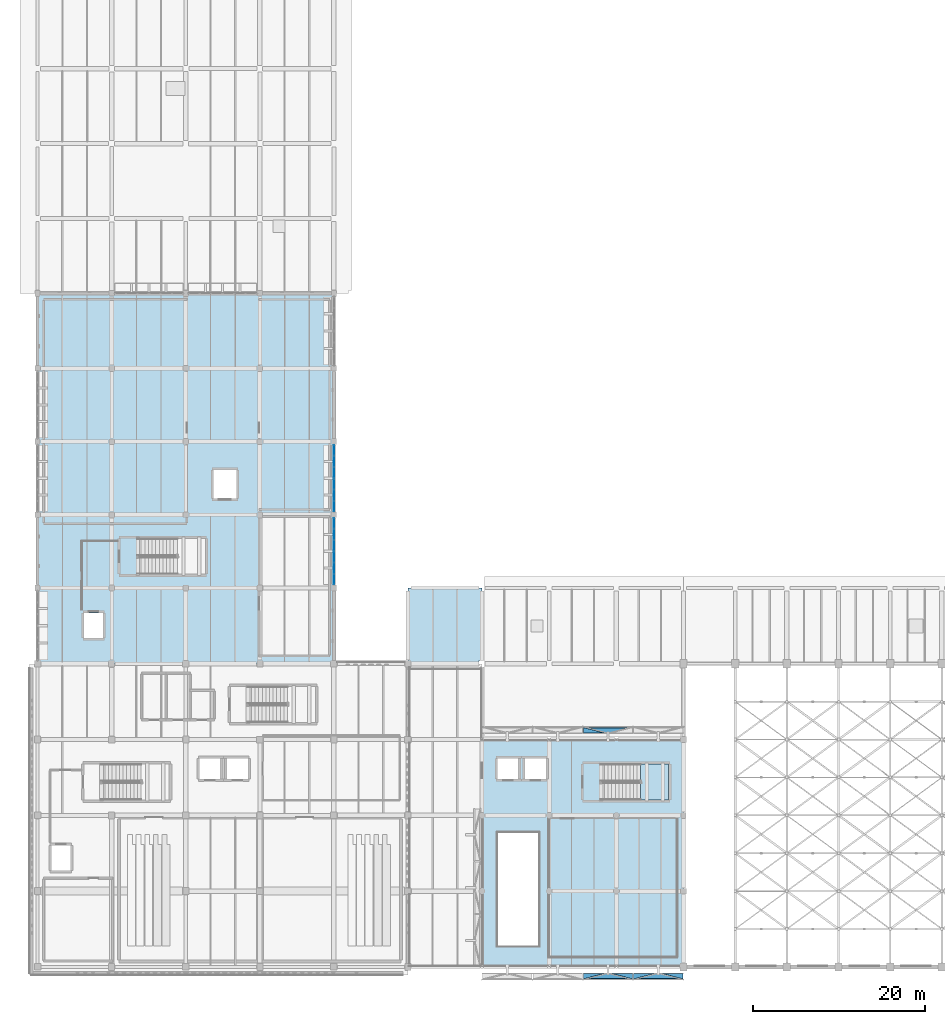
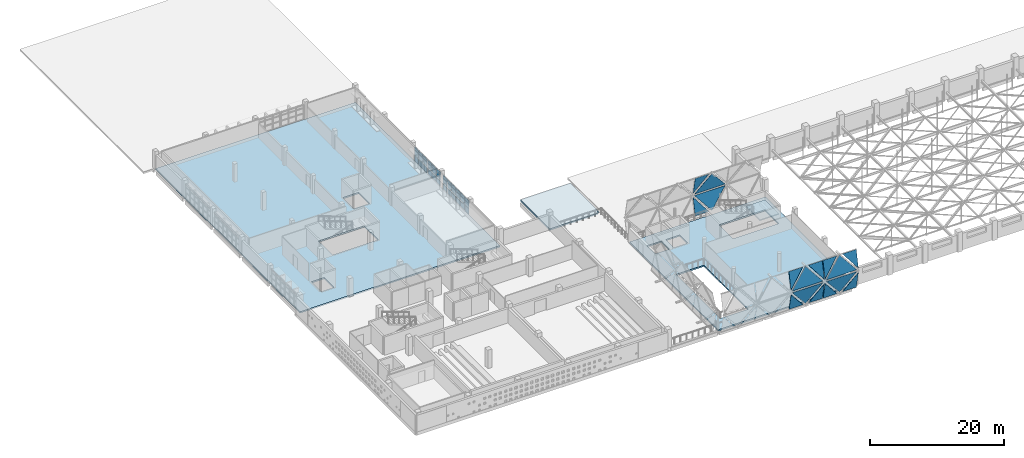
# One storey, part 68 of 93: 52 plates, 4 slabs, 8 elements without a shape of their own.
"""IFC4 building model written with IfcOpenShell, lengths in metres."""

from ifc_helpers import new_model, si_unit, direction, frame, origin, origin_2d, place, context, subcontext, project, spatial, polyline, rectangle, outline, extrude, material, layer, layer_set, type_object, element, aggregate, save


model = new_model("IFC4")

# Units and contexts
model_context = context("Model", 3, precision=1e-05, world=origin(), true_north=direction((0.0, 1.0)))
body_context = subcontext(model_context, "Body", "Model", "MODEL_VIEW")
ifc_project = project(units=[si_unit("LENGTHUNIT", "METRE"), si_unit("AREAUNIT", "SQUARE_METRE"), si_unit("VOLUMEUNIT", "CUBIC_METRE"), si_unit("PLANEANGLEUNIT", "RADIAN"), si_unit("MASSUNIT", "GRAM", prefix="KILO")], contexts=[model_context])

# Site, building, storey
site_placement = place(None, origin())
site = spatial("IfcSite", under=ifc_project, at=site_placement, CompositionType="ELEMENT")
building_placement = place(site_placement, origin())
building = spatial("IfcBuilding", under=site, at=building_placement, Name="Varnakota Cinema and Media Centre", CompositionType="ELEMENT")
storey_placement = place(building_placement, frame((0.0, 0.0, 12.0)))
storey = spatial("IfcBuildingStorey", under=building, at=storey_placement, Name="L03", CompositionType="ELEMENT", Elevation=12.0)

# Curtain wall, plates
ifc_material_1 = material(Name="Anodised golden-bronze aluminium AW-6063", Category="aluminium")
curtain_wall_type_1 = type_object("IfcCurtainWallType", Name="CW-DMD-585x705", PredefinedType="USERDEFINED", material=ifc_material_1)
curtain_wall_1_placement = place(storey_placement, origin())
curtain_wall_1 = element("IfcCurtainWall", 1, at=curtain_wall_1_placement, inside=storey, type_object=curtain_wall_type_1, Name="L03 folded diamond foyer curtain wall CW-V6DMD-S-T2-D01", ObjectType="DIAMOND FOLDED CURTAIN WALL", PredefinedType="USERDEFINED")
ifc_material_2 = material(Name="Laminated solar-control double glazing", Category="glass")
ifc_layer_1 = layer(ifc_material_2, 0.028076171875)
ifc_layer_set_1 = layer_set([ifc_layer_1], Name="Laminated solar-control double glazing")
plate_type_1 = type_object("IfcPlateType", Name="CWP-DGU-28", PredefinedType="CURTAIN_PANEL", material=ifc_layer_set_1)
plate_1_placement = place(storey_placement, frame((74.719970703125, -1.365234375, 3.385009765625), z_axis=(0.0, 0.979928851946, 0.199347548575), x_axis=(-0.624083687907, 0.155761703166, -0.765674762752)))
plate_1 = element("IfcPlate", 2, at=plate_1_placement, type_object=plate_type_1, Name="CW-V6DMD-S-T2-D01 lower diamond fitted glass facet", PredefinedType="CURTAIN_PANEL", context=body_context, shape_type="SweptSolid", body=[
    extrude(outline(polyline([(0.0, 0.0), (4.238244938145499, -4.440892098500626e-16), (3.3014270872958185, 4.133411722783652), (0.0, 0.0)])), origin(), (0.0, 0.0, -1.0), 0.02392578125),
])
plate_2_placement = place(storey_placement, frame((74.719970703125, -1.365234375, 3.6650390625), z_axis=(0.0, -0.97992592191, 0.199361951158), x_axis=(-1.0, 0.0, 0.0)))
plate_2 = element("IfcPlate", 3, at=plate_2_placement, type_object=plate_type_1, Name="CW-V6DMD-S-T2-D01 upper diamond fitted glass facet", PredefinedType="CURTAIN_PANEL", context=body_context, shape_type="SweptSolid", body=[
    extrude(outline(polyline([(0.0, 0.0), (5.2900390625, 0.0), (2.64501953125, -3.311345250007904), (0.0, 0.0)])), origin(), (0.0, 0.0, -1.0), 0.02392578125),
])

curtain_wall_2_placement = place(storey_placement, origin())
curtain_wall_2 = element("IfcCurtainWall", 4, at=curtain_wall_2_placement, inside=storey, type_object=curtain_wall_type_1, Name="L03 folded diamond foyer curtain wall CW-V6DMD-S-T2-D02", ObjectType="DIAMOND FOLDED CURTAIN WALL", PredefinedType="USERDEFINED")
plate_3_placement = place(storey_placement, frame((68.8701171875, -1.365234375, 3.385009765625), z_axis=(0.0, 0.979928851946, 0.199347548575), x_axis=(-0.624083687907, 0.155761703166, -0.765674762752)))
plate_3 = element("IfcPlate", 5, at=plate_3_placement, type_object=plate_type_1, Name="CW-V6DMD-S-T2-D02 lower diamond fitted glass facet", PredefinedType="CURTAIN_PANEL", context=body_context, shape_type="SweptSolid", body=[
    extrude(outline(polyline([(0.0, 0.0), (4.238244938145499, -4.440892098500626e-16), (3.3014270872958185, 4.133411722783652), (0.0, 0.0)])), origin(), (0.0, 0.0, -1.0), 0.02392578125),
])
plate_4_placement = place(storey_placement, frame((68.8701171875, -1.365234375, 3.6650390625), z_axis=(0.0, -0.97992592191, 0.199361951158), x_axis=(-1.0, 0.0, 0.0)))
plate_4 = element("IfcPlate", 6, at=plate_4_placement, type_object=plate_type_1, Name="CW-V6DMD-S-T2-D02 upper diamond fitted glass facet", PredefinedType="CURTAIN_PANEL", context=body_context, shape_type="SweptSolid", body=[
    extrude(outline(polyline([(0.0, 0.0), (5.2900390625, 0.0), (2.64501953125, -3.311345250007904), (0.0, 0.0)])), origin(), (0.0, 0.0, -1.0), 0.02392578125),
])

curtain_wall_3_placement = place(storey_placement, origin())
curtain_wall_3 = element("IfcCurtainWall", 7, at=curtain_wall_3_placement, inside=storey, type_object=curtain_wall_type_1, Name="L03 folded diamond foyer curtain wall CW-V6DMD-N-T2-D03", ObjectType="DIAMOND FOLDED CURTAIN WALL", PredefinedType="USERDEFINED")
plate_5_placement = place(storey_placement, frame((63.580078125, 27.76513671875, 3.385009765625), z_axis=(0.0, -0.979928851946, 0.199347548575), x_axis=(0.624083687907, -0.155761703166, -0.765674762752)))
plate_5 = element("IfcPlate", 8, at=plate_5_placement, type_object=plate_type_1, Name="CW-V6DMD-N-T2-D03 lower diamond fitted glass facet", PredefinedType="CURTAIN_PANEL", context=body_context, shape_type="SweptSolid", body=[
    extrude(outline(polyline([(0.0, 0.0), (4.238244938145499, -4.440892098500626e-16), (3.3014270872958185, 4.133411722783652), (0.0, 0.0)])), origin(), (0.0, 0.0, -1.0), 0.02392578125),
])
plate_6_placement = place(storey_placement, frame((63.580078125, 27.76513671875, 3.6650390625), z_axis=(0.0, 0.97992592191, 0.199361951158), x_axis=(1.0, 0.0, 0.0)))
plate_6 = element("IfcPlate", 9, at=plate_6_placement, type_object=plate_type_1, Name="CW-V6DMD-N-T2-D03 upper diamond fitted glass facet", PredefinedType="CURTAIN_PANEL", context=body_context, shape_type="SweptSolid", body=[
    extrude(outline(polyline([(0.0, 0.0), (5.2900390625, 0.0), (2.64501953125, -3.311345250007904), (0.0, 0.0)])), origin(), (0.0, 0.0, -1.0), 0.02392578125),
])

ifc_material_3 = material(Name="Thermally broken anodised aluminium AW-6063", Category="aluminium")
curtain_wall_type_2 = type_object("IfcCurtainWallType", Name="CW-STD-389x264", PredefinedType="USERDEFINED", material=ifc_material_3)
curtain_wall_4_placement = place(storey_placement, origin())
curtain_wall_4 = element("IfcCurtainWall", 10, at=curtain_wall_4_placement, inside=storey, type_object=curtain_wall_type_2, Name="L03 curtain wall CW-L03-V5-E-02-1", ObjectType="UNITISED CURTAIN WALL", PredefinedType="USERDEFINED")
plate_7_placement = place(storey_placement, frame((34.39990234375, 45.014892578125, 0.06494140625), z_axis=(0.0, 0.0, 1.0), x_axis=(0.0, 1.0, 0.0)))
plate_7 = element("IfcPlate", 11, at=plate_7_placement, type_object=plate_type_1, Name="CW41 panel 1.1", PredefinedType="CURTAIN_PANEL", context=body_context, shape_type="SweptSolid", body=[
    extrude(rectangle(XDim=1.199951171875, YDim=0.028076171875, at=origin_2d()), origin(), (0.0, 0.0, 1.0), 1.00927734375),
])
plate_8_placement = place(storey_placement, frame((34.39990234375, 45.014892578125, 1.13916015625), z_axis=(0.0, 0.0, 1.0), x_axis=(0.0, 1.0, 0.0)))
plate_8 = element("IfcPlate", 12, at=plate_8_placement, type_object=plate_type_1, Name="CW41 panel 1.2", PredefinedType="CURTAIN_PANEL", context=body_context, shape_type="SweptSolid", body=[
    extrude(rectangle(XDim=1.199951171875, YDim=0.028076171875, at=origin_2d()), origin(), (0.0, 0.0, 1.0), 0.883544921875),
])
plate_9_placement = place(storey_placement, frame((34.39990234375, 45.014892578125, 2.087890625), z_axis=(0.0, 0.0, 1.0), x_axis=(0.0, 1.0, 0.0)))
plate_9 = element("IfcPlate", 13, at=plate_9_placement, type_object=plate_type_1, Name="CW41 panel 1.3", PredefinedType="CURTAIN_PANEL", context=body_context, shape_type="SweptSolid", body=[
    extrude(rectangle(XDim=1.199951171875, YDim=0.028076171875, at=origin_2d()), origin(), (0.0, 0.0, 1.0), 0.482177734375),
])
plate_10_placement = place(storey_placement, frame((34.39990234375, 46.296142578125, 0.06494140625), z_axis=(0.0, 0.0, 1.0), x_axis=(0.0, 1.0, 0.0)))
plate_10 = element("IfcPlate", 14, at=plate_10_placement, type_object=plate_type_1, Name="CW41 panel 2.1", PredefinedType="CURTAIN_PANEL", context=body_context, shape_type="SweptSolid", body=[
    extrude(rectangle(XDim=1.232421875, YDim=0.028076171875, at=origin_2d()), origin(), (0.0, 0.0, 1.0), 1.00927734375),
])
plate_11_placement = place(storey_placement, frame((34.39990234375, 46.296142578125, 1.13916015625), z_axis=(0.0, 0.0, 1.0), x_axis=(0.0, 1.0, 0.0)))
plate_11 = element("IfcPlate", 15, at=plate_11_placement, type_object=plate_type_1, Name="CW41 panel 2.2", PredefinedType="CURTAIN_PANEL", context=body_context, shape_type="SweptSolid", body=[
    extrude(rectangle(XDim=1.232421875, YDim=0.028076171875, at=origin_2d()), origin(), (0.0, 0.0, 1.0), 0.883544921875),
])
plate_12_placement = place(storey_placement, frame((34.39990234375, 46.296142578125, 2.087890625), z_axis=(0.0, 0.0, 1.0), x_axis=(0.0, 1.0, 0.0)))
plate_12 = element("IfcPlate", 16, at=plate_12_placement, type_object=plate_type_1, Name="CW41 panel 2.3", PredefinedType="CURTAIN_PANEL", context=body_context, shape_type="SweptSolid", body=[
    extrude(rectangle(XDim=1.232421875, YDim=0.028076171875, at=origin_2d()), origin(), (0.0, 0.0, 1.0), 0.482177734375),
])
plate_13_placement = place(storey_placement, frame((34.39990234375, 47.577392578125, 0.06494140625), z_axis=(0.0, 0.0, 1.0), x_axis=(0.0, 1.0, 0.0)))
plate_13 = element("IfcPlate", 17, at=plate_13_placement, type_object=plate_type_1, Name="CW41 panel 3.1", PredefinedType="CURTAIN_PANEL", context=body_context, shape_type="SweptSolid", body=[
    extrude(rectangle(XDim=1.199951171875, YDim=0.028076171875, at=origin_2d()), origin(), (0.0, 0.0, 1.0), 1.00927734375),
])
plate_14_placement = place(storey_placement, frame((34.39990234375, 47.577392578125, 1.13916015625), z_axis=(0.0, 0.0, 1.0), x_axis=(0.0, 1.0, 0.0)))
plate_14 = element("IfcPlate", 18, at=plate_14_placement, type_object=plate_type_1, Name="CW41 panel 3.2", PredefinedType="CURTAIN_PANEL", context=body_context, shape_type="SweptSolid", body=[
    extrude(rectangle(XDim=1.199951171875, YDim=0.028076171875, at=origin_2d()), origin(), (0.0, 0.0, 1.0), 0.883544921875),
])
plate_15_placement = place(storey_placement, frame((34.39990234375, 47.577392578125, 2.087890625), z_axis=(0.0, 0.0, 1.0), x_axis=(0.0, 1.0, 0.0)))
plate_15 = element("IfcPlate", 19, at=plate_15_placement, type_object=plate_type_1, Name="CW41 panel 3.3", PredefinedType="CURTAIN_PANEL", context=body_context, shape_type="SweptSolid", body=[
    extrude(rectangle(XDim=1.199951171875, YDim=0.028076171875, at=origin_2d()), origin(), (0.0, 0.0, 1.0), 0.482177734375),
])
aggregate(curtain_wall_4, [plate_7, plate_8, plate_9, plate_10, plate_11, plate_12, plate_13, plate_14, plate_15])

curtain_wall_5_placement = place(storey_placement, origin())
curtain_wall_5 = element("IfcCurtainWall", 20, at=curtain_wall_5_placement, inside=storey, type_object=curtain_wall_type_2, Name="L03 curtain wall CW-L03-V5-E-02-2", ObjectType="UNITISED CURTAIN WALL", PredefinedType="USERDEFINED")
plate_16_placement = place(storey_placement, frame((34.39990234375, 48.947509765625, 0.06494140625), z_axis=(0.0, 0.0, 1.0), x_axis=(0.0, 1.0, 0.0)))
plate_16 = element("IfcPlate", 21, at=plate_16_placement, type_object=plate_type_1, Name="CW41 panel 1.1", PredefinedType="CURTAIN_PANEL", context=body_context, shape_type="SweptSolid", body=[
    extrude(rectangle(XDim=1.199951171875, YDim=0.028076171875, at=origin_2d()), origin(), (0.0, 0.0, 1.0), 1.00927734375),
])
plate_17_placement = place(storey_placement, frame((34.39990234375, 48.947509765625, 1.13916015625), z_axis=(0.0, 0.0, 1.0), x_axis=(0.0, 1.0, 0.0)))
plate_17 = element("IfcPlate", 22, at=plate_17_placement, type_object=plate_type_1, Name="CW41 panel 1.2", PredefinedType="CURTAIN_PANEL", context=body_context, shape_type="SweptSolid", body=[
    extrude(rectangle(XDim=1.199951171875, YDim=0.028076171875, at=origin_2d()), origin(), (0.0, 0.0, 1.0), 0.883544921875),
])
plate_18_placement = place(storey_placement, frame((34.39990234375, 48.947509765625, 2.087890625), z_axis=(0.0, 0.0, 1.0), x_axis=(0.0, 1.0, 0.0)))
plate_18 = element("IfcPlate", 23, at=plate_18_placement, type_object=plate_type_1, Name="CW41 panel 1.3", PredefinedType="CURTAIN_PANEL", context=body_context, shape_type="SweptSolid", body=[
    extrude(rectangle(XDim=1.199951171875, YDim=0.028076171875, at=origin_2d()), origin(), (0.0, 0.0, 1.0), 0.482177734375),
])
plate_19_placement = place(storey_placement, frame((34.39990234375, 50.228759765625, 0.06494140625), z_axis=(0.0, 0.0, 1.0), x_axis=(0.0, 1.0, 0.0)))
plate_19 = element("IfcPlate", 24, at=plate_19_placement, type_object=plate_type_1, Name="CW41 panel 2.1", PredefinedType="CURTAIN_PANEL", context=body_context, shape_type="SweptSolid", body=[
    extrude(rectangle(XDim=1.232421875, YDim=0.028076171875, at=origin_2d()), origin(), (0.0, 0.0, 1.0), 1.00927734375),
])
plate_20_placement = place(storey_placement, frame((34.39990234375, 50.228759765625, 1.13916015625), z_axis=(0.0, 0.0, 1.0), x_axis=(0.0, 1.0, 0.0)))
plate_20 = element("IfcPlate", 25, at=plate_20_placement, type_object=plate_type_1, Name="CW41 panel 2.2", PredefinedType="CURTAIN_PANEL", context=body_context, shape_type="SweptSolid", body=[
    extrude(rectangle(XDim=1.232421875, YDim=0.028076171875, at=origin_2d()), origin(), (0.0, 0.0, 1.0), 0.883544921875),
])
plate_21_placement = place(storey_placement, frame((34.39990234375, 50.228759765625, 2.087890625), z_axis=(0.0, 0.0, 1.0), x_axis=(0.0, 1.0, 0.0)))
plate_21 = element("IfcPlate", 26, at=plate_21_placement, type_object=plate_type_1, Name="CW41 panel 2.3", PredefinedType="CURTAIN_PANEL", context=body_context, shape_type="SweptSolid", body=[
    extrude(rectangle(XDim=1.232421875, YDim=0.028076171875, at=origin_2d()), origin(), (0.0, 0.0, 1.0), 0.482177734375),
])
plate_22_placement = place(storey_placement, frame((34.39990234375, 51.510009765625, 0.06494140625), z_axis=(0.0, 0.0, 1.0), x_axis=(0.0, 1.0, 0.0)))
plate_22 = element("IfcPlate", 27, at=plate_22_placement, type_object=plate_type_1, Name="CW41 panel 3.1", PredefinedType="CURTAIN_PANEL", context=body_context, shape_type="SweptSolid", body=[
    extrude(rectangle(XDim=1.199951171875, YDim=0.028076171875, at=origin_2d()), origin(), (0.0, 0.0, 1.0), 1.00927734375),
])
plate_23_placement = place(storey_placement, frame((34.39990234375, 51.510009765625, 1.13916015625), z_axis=(0.0, 0.0, 1.0), x_axis=(0.0, 1.0, 0.0)))
plate_23 = element("IfcPlate", 28, at=plate_23_placement, type_object=plate_type_1, Name="CW41 panel 3.2", PredefinedType="CURTAIN_PANEL", context=body_context, shape_type="SweptSolid", body=[
    extrude(rectangle(XDim=1.199951171875, YDim=0.028076171875, at=origin_2d()), origin(), (0.0, 0.0, 1.0), 0.883544921875),
])
plate_24_placement = place(storey_placement, frame((34.39990234375, 51.510009765625, 2.087890625), z_axis=(0.0, 0.0, 1.0), x_axis=(0.0, 1.0, 0.0)))
plate_24 = element("IfcPlate", 29, at=plate_24_placement, type_object=plate_type_1, Name="CW41 panel 3.3", PredefinedType="CURTAIN_PANEL", context=body_context, shape_type="SweptSolid", body=[
    extrude(rectangle(XDim=1.199951171875, YDim=0.028076171875, at=origin_2d()), origin(), (0.0, 0.0, 1.0), 0.482177734375),
])
aggregate(curtain_wall_5, [plate_16, plate_17, plate_18, plate_19, plate_20, plate_21, plate_22, plate_23, plate_24])

ifc_material_4 = material(Name="Thermally broken anodised aluminium AW-6063", Category="aluminium")
curtain_wall_type_3 = type_object("IfcCurtainWallType", Name="CW-STD-389x268", PredefinedType="USERDEFINED", material=ifc_material_4)
curtain_wall_6_placement = place(storey_placement, origin())
curtain_wall_6 = element("IfcCurtainWall", 30, at=curtain_wall_6_placement, inside=storey, type_object=curtain_wall_type_3, Name="L03 curtain wall CW-L03-V5-E-03-1", ObjectType="UNITISED CURTAIN WALL", PredefinedType="USERDEFINED")
plate_25_placement = place(storey_placement, frame((34.39990234375, 53.489990234375, 0.06494140625), z_axis=(0.0, 0.0, 1.0), x_axis=(0.0, 1.0, 0.0)))
plate_25 = element("IfcPlate", 31, at=plate_25_placement, type_object=plate_type_1, Name="CW42 panel 1.1", PredefinedType="CURTAIN_PANEL", context=body_context, shape_type="SweptSolid", body=[
    extrude(rectangle(XDim=1.199951171875, YDim=0.028076171875, at=origin_2d()), origin(), (0.0, 0.0, 1.0), 1.0302734375),
])
plate_26_placement = place(storey_placement, frame((34.39990234375, 53.489990234375, 1.16015625), z_axis=(0.0, 0.0, 1.0), x_axis=(0.0, 1.0, 0.0)))
plate_26 = element("IfcPlate", 32, at=plate_26_placement, type_object=plate_type_1, Name="CW42 panel 1.2", PredefinedType="CURTAIN_PANEL", context=body_context, shape_type="SweptSolid", body=[
    extrude(rectangle(XDim=1.199951171875, YDim=0.028076171875, at=origin_2d()), origin(), (0.0, 0.0, 1.0), 0.901611328125),
])
plate_27_placement = place(storey_placement, frame((34.39990234375, 53.489990234375, 2.126708984375), z_axis=(0.0, 0.0, 1.0), x_axis=(0.0, 1.0, 0.0)))
plate_27 = element("IfcPlate", 33, at=plate_27_placement, type_object=plate_type_1, Name="CW42 panel 1.3", PredefinedType="CURTAIN_PANEL", context=body_context, shape_type="SweptSolid", body=[
    extrude(rectangle(XDim=1.199951171875, YDim=0.028076171875, at=origin_2d()), origin(), (0.0, 0.0, 1.0), 0.4931640625),
])
plate_28_placement = place(storey_placement, frame((34.39990234375, 54.771240234375, 0.06494140625), z_axis=(0.0, 0.0, 1.0), x_axis=(0.0, 1.0, 0.0)))
plate_28 = element("IfcPlate", 34, at=plate_28_placement, type_object=plate_type_1, Name="CW42 panel 2.1", PredefinedType="CURTAIN_PANEL", context=body_context, shape_type="SweptSolid", body=[
    extrude(rectangle(XDim=1.232421875, YDim=0.028076171875, at=origin_2d()), origin(), (0.0, 0.0, 1.0), 1.0302734375),
])
plate_29_placement = place(storey_placement, frame((34.39990234375, 54.771240234375, 1.16015625), z_axis=(0.0, 0.0, 1.0), x_axis=(0.0, 1.0, 0.0)))
plate_29 = element("IfcPlate", 35, at=plate_29_placement, type_object=plate_type_1, Name="CW42 panel 2.2", PredefinedType="CURTAIN_PANEL", context=body_context, shape_type="SweptSolid", body=[
    extrude(rectangle(XDim=1.232421875, YDim=0.028076171875, at=origin_2d()), origin(), (0.0, 0.0, 1.0), 0.901611328125),
])
plate_30_placement = place(storey_placement, frame((34.39990234375, 54.771240234375, 2.126708984375), z_axis=(0.0, 0.0, 1.0), x_axis=(0.0, 1.0, 0.0)))
plate_30 = element("IfcPlate", 36, at=plate_30_placement, type_object=plate_type_1, Name="CW42 panel 2.3", PredefinedType="CURTAIN_PANEL", context=body_context, shape_type="SweptSolid", body=[
    extrude(rectangle(XDim=1.232421875, YDim=0.028076171875, at=origin_2d()), origin(), (0.0, 0.0, 1.0), 0.4931640625),
])
plate_31_placement = place(storey_placement, frame((34.39990234375, 56.052490234375, 0.06494140625), z_axis=(0.0, 0.0, 1.0), x_axis=(0.0, 1.0, 0.0)))
plate_31 = element("IfcPlate", 37, at=plate_31_placement, type_object=plate_type_1, Name="CW42 panel 3.1", PredefinedType="CURTAIN_PANEL", context=body_context, shape_type="SweptSolid", body=[
    extrude(rectangle(XDim=1.199951171875, YDim=0.028076171875, at=origin_2d()), origin(), (0.0, 0.0, 1.0), 1.0302734375),
])
plate_32_placement = place(storey_placement, frame((34.39990234375, 56.052490234375, 1.16015625), z_axis=(0.0, 0.0, 1.0), x_axis=(0.0, 1.0, 0.0)))
plate_32 = element("IfcPlate", 38, at=plate_32_placement, type_object=plate_type_1, Name="CW42 panel 3.2", PredefinedType="CURTAIN_PANEL", context=body_context, shape_type="SweptSolid", body=[
    extrude(rectangle(XDim=1.199951171875, YDim=0.028076171875, at=origin_2d()), origin(), (0.0, 0.0, 1.0), 0.901611328125),
])
plate_33_placement = place(storey_placement, frame((34.39990234375, 56.052490234375, 2.126708984375), z_axis=(0.0, 0.0, 1.0), x_axis=(0.0, 1.0, 0.0)))
plate_33 = element("IfcPlate", 39, at=plate_33_placement, type_object=plate_type_1, Name="CW42 panel 3.3", PredefinedType="CURTAIN_PANEL", context=body_context, shape_type="SweptSolid", body=[
    extrude(rectangle(XDim=1.199951171875, YDim=0.028076171875, at=origin_2d()), origin(), (0.0, 0.0, 1.0), 0.4931640625),
])
aggregate(curtain_wall_6, [plate_25, plate_26, plate_27, plate_28, plate_29, plate_30, plate_31, plate_32, plate_33])

curtain_wall_7_placement = place(storey_placement, origin())
curtain_wall_7 = element("IfcCurtainWall", 40, at=curtain_wall_7_placement, inside=storey, type_object=curtain_wall_type_3, Name="L03 curtain wall CW-L03-V5-E-03-2", ObjectType="UNITISED CURTAIN WALL", PredefinedType="USERDEFINED")
plate_34_placement = place(storey_placement, frame((34.39990234375, 57.422607421875, 0.06494140625), z_axis=(0.0, 0.0, 1.0), x_axis=(0.0, 1.0, 0.0)))
plate_34 = element("IfcPlate", 41, at=plate_34_placement, type_object=plate_type_1, Name="CW42 panel 1.1", PredefinedType="CURTAIN_PANEL", context=body_context, shape_type="SweptSolid", body=[
    extrude(rectangle(XDim=1.199951171875, YDim=0.028076171875, at=origin_2d()), origin(), (0.0, 0.0, 1.0), 1.0302734375),
])
plate_35_placement = place(storey_placement, frame((34.39990234375, 57.422607421875, 1.16015625), z_axis=(0.0, 0.0, 1.0), x_axis=(0.0, 1.0, 0.0)))
plate_35 = element("IfcPlate", 42, at=plate_35_placement, type_object=plate_type_1, Name="CW42 panel 1.2", PredefinedType="CURTAIN_PANEL", context=body_context, shape_type="SweptSolid", body=[
    extrude(rectangle(XDim=1.199951171875, YDim=0.028076171875, at=origin_2d()), origin(), (0.0, 0.0, 1.0), 0.901611328125),
])
plate_36_placement = place(storey_placement, frame((34.39990234375, 57.422607421875, 2.126708984375), z_axis=(0.0, 0.0, 1.0), x_axis=(0.0, 1.0, 0.0)))
plate_36 = element("IfcPlate", 43, at=plate_36_placement, type_object=plate_type_1, Name="CW42 panel 1.3", PredefinedType="CURTAIN_PANEL", context=body_context, shape_type="SweptSolid", body=[
    extrude(rectangle(XDim=1.199951171875, YDim=0.028076171875, at=origin_2d()), origin(), (0.0, 0.0, 1.0), 0.4931640625),
])
plate_37_placement = place(storey_placement, frame((34.39990234375, 58.703857421875, 0.06494140625), z_axis=(0.0, 0.0, 1.0), x_axis=(0.0, 1.0, 0.0)))
plate_37 = element("IfcPlate", 44, at=plate_37_placement, type_object=plate_type_1, Name="CW42 panel 2.1", PredefinedType="CURTAIN_PANEL", context=body_context, shape_type="SweptSolid", body=[
    extrude(rectangle(XDim=1.232421875, YDim=0.028076171875, at=origin_2d()), origin(), (0.0, 0.0, 1.0), 1.0302734375),
])
plate_38_placement = place(storey_placement, frame((34.39990234375, 58.703857421875, 1.16015625), z_axis=(0.0, 0.0, 1.0), x_axis=(0.0, 1.0, 0.0)))
plate_38 = element("IfcPlate", 45, at=plate_38_placement, type_object=plate_type_1, Name="CW42 panel 2.2", PredefinedType="CURTAIN_PANEL", context=body_context, shape_type="SweptSolid", body=[
    extrude(rectangle(XDim=1.232421875, YDim=0.028076171875, at=origin_2d()), origin(), (0.0, 0.0, 1.0), 0.901611328125),
])
plate_39_placement = place(storey_placement, frame((34.39990234375, 58.703857421875, 2.126708984375), z_axis=(0.0, 0.0, 1.0), x_axis=(0.0, 1.0, 0.0)))
plate_39 = element("IfcPlate", 46, at=plate_39_placement, type_object=plate_type_1, Name="CW42 panel 2.3", PredefinedType="CURTAIN_PANEL", context=body_context, shape_type="SweptSolid", body=[
    extrude(rectangle(XDim=1.232421875, YDim=0.028076171875, at=origin_2d()), origin(), (0.0, 0.0, 1.0), 0.4931640625),
])
plate_40_placement = place(storey_placement, frame((34.39990234375, 59.985107421875, 0.06494140625), z_axis=(0.0, 0.0, 1.0), x_axis=(0.0, 1.0, 0.0)))
plate_40 = element("IfcPlate", 47, at=plate_40_placement, type_object=plate_type_1, Name="CW42 panel 3.1", PredefinedType="CURTAIN_PANEL", context=body_context, shape_type="SweptSolid", body=[
    extrude(rectangle(XDim=1.199951171875, YDim=0.028076171875, at=origin_2d()), origin(), (0.0, 0.0, 1.0), 1.0302734375),
])
plate_41_placement = place(storey_placement, frame((34.39990234375, 59.985107421875, 1.16015625), z_axis=(0.0, 0.0, 1.0), x_axis=(0.0, 1.0, 0.0)))
plate_41 = element("IfcPlate", 48, at=plate_41_placement, type_object=plate_type_1, Name="CW42 panel 3.2", PredefinedType="CURTAIN_PANEL", context=body_context, shape_type="SweptSolid", body=[
    extrude(rectangle(XDim=1.199951171875, YDim=0.028076171875, at=origin_2d()), origin(), (0.0, 0.0, 1.0), 0.901611328125),
])
plate_42_placement = place(storey_placement, frame((34.39990234375, 59.985107421875, 2.126708984375), z_axis=(0.0, 0.0, 1.0), x_axis=(0.0, 1.0, 0.0)))
plate_42 = element("IfcPlate", 49, at=plate_42_placement, type_object=plate_type_1, Name="CW42 panel 3.3", PredefinedType="CURTAIN_PANEL", context=body_context, shape_type="SweptSolid", body=[
    extrude(rectangle(XDim=1.199951171875, YDim=0.028076171875, at=origin_2d()), origin(), (0.0, 0.0, 1.0), 0.4931640625),
])
aggregate(curtain_wall_7, [plate_34, plate_35, plate_36, plate_37, plate_38, plate_39, plate_40, plate_41, plate_42])

# Plate
ifc_material_5 = material(Name="Anodised golden-bronze aluminium AW-6063", Category="aluminium")
ifc_layer_2 = layer(ifc_material_5, 0.035888671875)
ifc_layer_set_2 = layer_set([ifc_layer_2], Name="Anodised golden-bronze aluminium AW-6063")
plate_type_2 = type_object("IfcPlateType", Name="CWP-GOLD-36", PredefinedType="CURTAIN_PANEL", material=ifc_layer_set_2)
plate_43_placement = place(storey_placement, frame((74.93994140625, -0.778076171875, 0.10009765625), z_axis=(0.0, 0.979931720157, 0.199333448849), x_axis=(-1.0, 0.0, 0.0)))
plate_43 = element("IfcPlate", 50, at=plate_43_placement, type_object=plate_type_2, Name="CW-V6DMD-S-T2-D01 golden metal folded diamond spandrel SP-BL", PredefinedType="CURTAIN_PANEL", context=body_context, shape_type="SweptSolid", body=[
    extrude(outline(polyline([(0.0, 0.0), (2.385009765625, 0.0), (0.0, 3.1072796322091536), (0.0, 0.0)])), origin(), (0.0, 0.0, -1.0), 0.028076171875),
])

plate_44_placement = place(storey_placement, frame((71.594970703125, -0.778076171875, 0.10009765625), z_axis=(0.0, 0.979931720157, 0.199333448849), x_axis=(-1.0, 0.0, 0.0)))
plate_44 = element("IfcPlate", 51, at=plate_44_placement, type_object=plate_type_2, Name="CW-V6DMD-S-T2-D01 golden metal folded diamond spandrel SP-BR", PredefinedType="CURTAIN_PANEL", context=body_context, shape_type="SweptSolid", body=[
    extrude(outline(polyline([(0.0, 0.0), (2.385009765625, 0.0), (2.385009765625, 3.1072796322091536), (0.0, 0.0)])), origin(), (0.0, 0.0, -1.0), 0.028076171875),
])

plate_45_placement = place(storey_placement, frame((74.93994140625, -1.3974609375, 3.905029296875), z_axis=(0.0, -0.979931720157, 0.199333448849), x_axis=(-0.608875547408, 0.158124400018, 0.777346281838)))
plate_45 = element("IfcPlate", 52, at=plate_45_placement, type_object=plate_type_2, Name="CW-V6DMD-S-T2-D01 golden metal folded diamond spandrel SP-TL", PredefinedType="CURTAIN_PANEL", context=body_context, shape_type="SweptSolid", body=[
    extrude(outline(polyline([(0.0, 0.0), (3.917072669081909, 2.220446049250313e-16), (2.4648985424630516, -1.8919465870117411), (0.0, 0.0)])), origin(), (0.0, 0.0, -1.0), 0.028076171875),
])

plate_46_placement = place(storey_placement, frame((69.2099609375, -1.3974609375, 3.905029296875), z_axis=(0.0, -0.979931720157, 0.199333448849), x_axis=(0.0, 0.199333448849, 0.979931720157)))
plate_46 = element("IfcPlate", 53, at=plate_46_placement, type_object=plate_type_2, Name="CW-V6DMD-S-T2-D01 golden metal folded diamond spandrel SP-TR", PredefinedType="CURTAIN_PANEL", context=body_context, shape_type="SweptSolid", body=[
    extrude(outline(polyline([(0.0, 0.0), (3.1072796322091536, 0.0), (3.1072796322091536, -2.385009765625), (0.0, 0.0)])), origin(), (0.0, 0.0, -1.0), 0.028076171875),
])

aggregate(curtain_wall_1, [plate_1, plate_2, plate_43, plate_44, plate_45, plate_46])

plate_47_placement = place(storey_placement, frame((69.090087890625, -0.778076171875, 0.10009765625), z_axis=(0.0, 0.979931720157, 0.199333448849), x_axis=(-1.0, 0.0, 0.0)))
plate_47 = element("IfcPlate", 54, at=plate_47_placement, type_object=plate_type_2, Name="CW-V6DMD-S-T2-D02 golden metal folded diamond spandrel SP-BL", PredefinedType="CURTAIN_PANEL", context=body_context, shape_type="SweptSolid", body=[
    extrude(outline(polyline([(0.0, 0.0), (2.385009765625, 0.0), (0.0, 3.1072796322091536), (0.0, 0.0)])), origin(), (0.0, 0.0, -1.0), 0.028076171875),
])

plate_48_placement = place(storey_placement, frame((65.7451171875, -0.778076171875, 0.10009765625), z_axis=(0.0, 0.979931720157, 0.199333448849), x_axis=(-1.0, 0.0, 0.0)))
plate_48 = element("IfcPlate", 55, at=plate_48_placement, type_object=plate_type_2, Name="CW-V6DMD-S-T2-D02 golden metal folded diamond spandrel SP-BR", PredefinedType="CURTAIN_PANEL", context=body_context, shape_type="SweptSolid", body=[
    extrude(outline(polyline([(0.0, 0.0), (2.385009765625, 0.0), (2.385009765625, 3.1072796322091536), (0.0, 0.0)])), origin(), (0.0, 0.0, -1.0), 0.028076171875),
])

plate_49_placement = place(storey_placement, frame((69.090087890625, -1.3974609375, 3.905029296875), z_axis=(0.0, -0.979931720157, 0.199333448849), x_axis=(-0.608875547408, 0.158124400018, 0.777346281838)))
plate_49 = element("IfcPlate", 56, at=plate_49_placement, type_object=plate_type_2, Name="CW-V6DMD-S-T2-D02 golden metal folded diamond spandrel SP-TL", PredefinedType="CURTAIN_PANEL", context=body_context, shape_type="SweptSolid", body=[
    extrude(outline(polyline([(0.0, 0.0), (3.917072669081909, 2.220446049250313e-16), (2.4648985424630516, -1.8919465870117411), (0.0, 0.0)])), origin(), (0.0, 0.0, -1.0), 0.028076171875),
])

plate_50_placement = place(storey_placement, frame((63.360107421875, -1.3974609375, 3.905029296875), z_axis=(0.0, -0.979931720157, 0.199333448849), x_axis=(0.0, 0.199333448849, 0.979931720157)))
plate_50 = element("IfcPlate", 57, at=plate_50_placement, type_object=plate_type_2, Name="CW-V6DMD-S-T2-D02 golden metal folded diamond spandrel SP-TR", PredefinedType="CURTAIN_PANEL", context=body_context, shape_type="SweptSolid", body=[
    extrude(outline(polyline([(0.0, 0.0), (3.1072796322091536, 0.0), (3.1072796322091536, -2.385009765625), (0.0, 0.0)])), origin(), (0.0, 0.0, -1.0), 0.028076171875),
])

aggregate(curtain_wall_2, [plate_3, plate_4, plate_47, plate_48, plate_49, plate_50])

plate_51_placement = place(storey_placement, frame((63.360107421875, 27.177978515625, 0.10009765625), z_axis=(0.0, -0.979916370061, 0.199408895704), x_axis=(1.0, 0.0, 0.0)))
plate_51 = element("IfcPlate", 58, at=plate_51_placement, type_object=plate_type_2, Name="CW-V6DMD-N-T2-D03 golden metal folded diamond spandrel SP-BL", PredefinedType="CURTAIN_PANEL", context=body_context, shape_type="SweptSolid", body=[
    extrude(outline(polyline([(0.0, 0.0), (2.385009765625, 0.0), (0.0, 3.107328306811832), (0.0, 0.0)])), origin(), (0.0, 0.0, -1.0), 0.028076171875),
])

plate_52_placement = place(storey_placement, frame((63.360107421875, 27.797607421875, 3.905029296875), z_axis=(0.0, 0.979916370061, 0.199408895704), x_axis=(0.60886954556, -0.158185168045, 0.777338619329)))
plate_52 = element("IfcPlate", 59, at=plate_52_placement, type_object=plate_type_2, Name="CW-V6DMD-N-T2-D03 golden metal folded diamond spandrel SP-TL", PredefinedType="CURTAIN_PANEL", context=body_context, shape_type="SweptSolid", body=[
    extrude(outline(polyline([(0.0, 0.0), (3.9171112810897655, 2.220446049250313e-16), (2.4649514689375556, -1.891957574074185), (0.0, 0.0)])), origin(), (0.0, 0.0, -1.0), 0.028076171875),
])

aggregate(curtain_wall_3, [plate_5, plate_6, plate_51, plate_52])

# Slabs
ifc_material_6 = material(Name="Concrete M35", Category="concrete")
ifc_layer_3 = layer(ifc_material_6, 0.260009765625)
ifc_layer_set_3 = layer_set([ifc_layer_3], Name="Concrete M35")
slab_type_1 = type_object("IfcSlabType", Name="SLB-FLR-260", PredefinedType="FLOOR", material=ifc_layer_set_3)
slab_1_placement = place(storey_placement, frame((0.0, 0.0, -0.260009765625)))
element("IfcSlab", 60, at=slab_1_placement, inside=storey, type_object=slab_type_1, Name="L03 V6 floor slab", PredefinedType="FLOOR", context=body_context, shape_type="SweptSolid", body=[
    extrude(outline(polyline([(51.60009765625, 0.0), (75.0, 0.0), (75.0, 26.39990234375), (51.60009765625, 26.39990234375), (51.60009765625, 0.0)]), holes=[polyline([(53.39990234375, 2.39990234375), (58.199951171875, 2.39990234375), (58.199951171875, 15.60009765625), (53.39990234375, 15.60009765625), (53.39990234375, 2.39990234375)]), polyline([(65.39990234375, 19.39990234375), (73.280029296875, 19.39990234375), (73.280029296875, 23.550048828125), (65.39990234375, 23.550048828125), (65.39990234375, 19.39990234375)]), polyline([(53.39990234375, 21.800048828125), (55.800048828125, 21.800048828125), (55.800048828125, 24.199951171875), (53.39990234375, 24.199951171875), (53.39990234375, 21.800048828125)]), polyline([(56.60009765625, 21.800048828125), (59.0, 21.800048828125), (59.0, 24.199951171875), (56.60009765625, 24.199951171875), (56.60009765625, 21.800048828125)])]), origin(), (0.0, 0.0, 1.0), 0.260009765625),
])
slab_2_placement = place(storey_placement, frame((0.0, 0.0, -0.260009765625)))
element("IfcSlab", 61, at=slab_2_placement, inside=storey, type_object=slab_type_1, Name="L03 V5 floor slab", PredefinedType="FLOOR", context=body_context, shape_type="SweptSolid", body=[
    extrude(outline(polyline([(0.0, 35.199951171875), (34.39990234375, 35.199951171875), (34.39990234375, 78.199951171875), (0.0, 78.199951171875), (0.0, 35.199951171875)]), holes=[polyline([(11.60009765625, 45.60009765625), (19.47998046875, 45.60009765625), (19.47998046875, 49.75), (11.60009765625, 49.75), (11.60009765625, 45.60009765625)]), polyline([(5.39990234375, 38.199951171875), (7.60009765625, 38.199951171875), (7.60009765625, 41.10009765625), (5.39990234375, 41.10009765625), (5.39990234375, 38.199951171875)]), polyline([(20.39990234375, 54.39990234375), (23.10009765625, 54.39990234375), (23.10009765625, 57.699951171875), (20.39990234375, 57.699951171875), (20.39990234375, 54.39990234375)])]), origin(), (0.0, 0.0, 1.0), 0.260009765625),
])

# Stair, slab
ifc_material_7 = material(Name="Concrete M35", Category="concrete")
stair_type = type_object("IfcStairType", Name="STR-CORE-ST-04-2000", PredefinedType="HALF_TURN_STAIR", material=ifc_material_7)
stair_placement = place(storey_placement, origin())
stair = element("IfcStair", 62, at=stair_placement, inside=storey, type_object=stair_type, Name="L03 Foyer and Terrace Escape Stair 4", PredefinedType="HALF_TURN_STAIR")
ifc_material_8 = material(Name="Concrete M35", Category="concrete")
ifc_layer_4 = layer(ifc_material_8, 0.199951171875)
ifc_layer_set_4 = layer_set([ifc_layer_4], Name="Concrete M35")
slab_type_2 = type_object("IfcSlabType", Name="SLB-LAND-ST-04", PredefinedType="LANDING", material=ifc_layer_set_4)
slab_3_placement = place(storey_placement, frame((0.0, 0.0, 1.60009765625)))
slab_3 = element("IfcSlab", 63, at=slab_3_placement, type_object=slab_type_2, Name="ST-04 landing 1", PredefinedType="LANDING", context=body_context, shape_type="SweptSolid", body=[
    extrude(outline(polyline([(70.02001953125, 19.39990234375), (73.280029296875, 19.39990234375), (73.280029296875, 23.550048828125), (70.02001953125, 23.550048828125), (70.02001953125, 19.39990234375)])), origin(), (0.0, 0.0, 1.0), 0.199951171875),
])
aggregate(stair, [slab_3])

# Slab
ifc_material_9 = material(Name="Concrete M35", Category="concrete")
ifc_layer_5 = layer(ifc_material_9, 0.260009765625)
ifc_layer_set_5 = layer_set([ifc_layer_5], Name="Concrete M35")
slab_type_3 = type_object("IfcSlabType", Name="SLB-ROOF-260", PredefinedType="ROOF", material=ifc_layer_set_5)
slab_4_placement = place(storey_placement, frame((0.0, 0.0, -0.260009765625)))
element("IfcSlab", 64, at=slab_4_placement, inside=storey, type_object=slab_type_3, Name="L03 overhanging cool roof ROOF-CHOWK-LINK-W", PredefinedType="ROOF", context=body_context, shape_type="SweptSolid", body=[
    extrude(outline(polyline([(43.0, 35.219970703125), (51.25, 35.219970703125), (51.25, 35.570068359375), (51.60009765625, 35.570068359375), (51.60009765625, 44.0), (43.0, 44.0), (43.0, 35.219970703125)])), origin(), (0.0, 0.0, 1.0), 0.260009765625),
])

save(model, "model.ifc")
